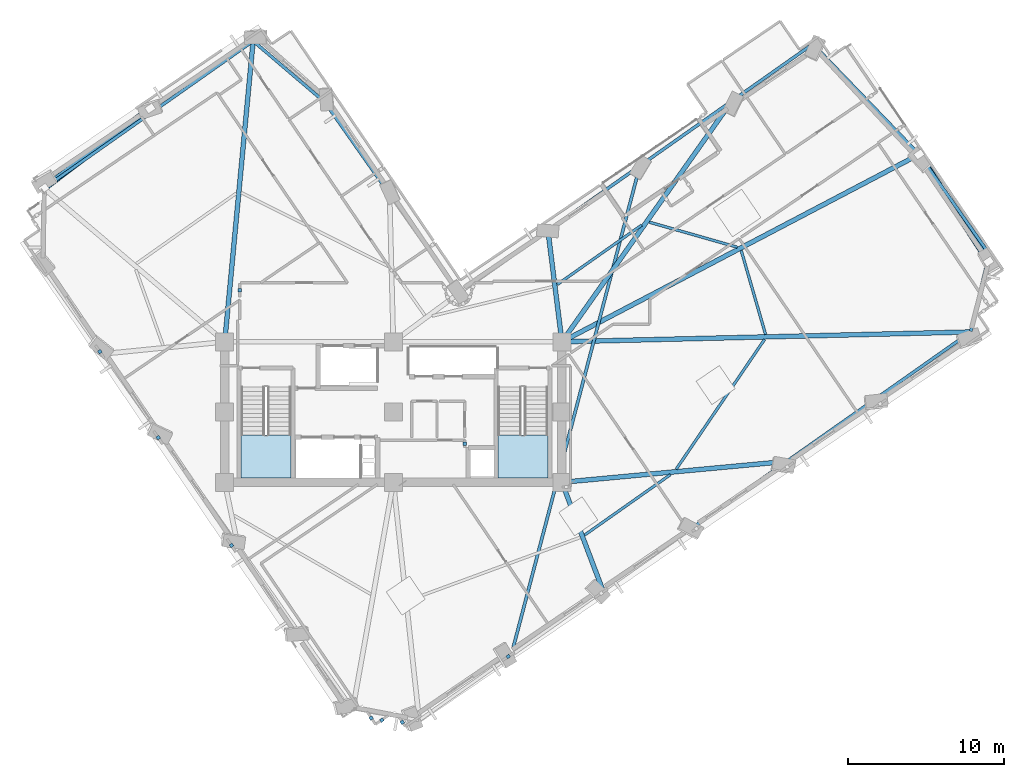
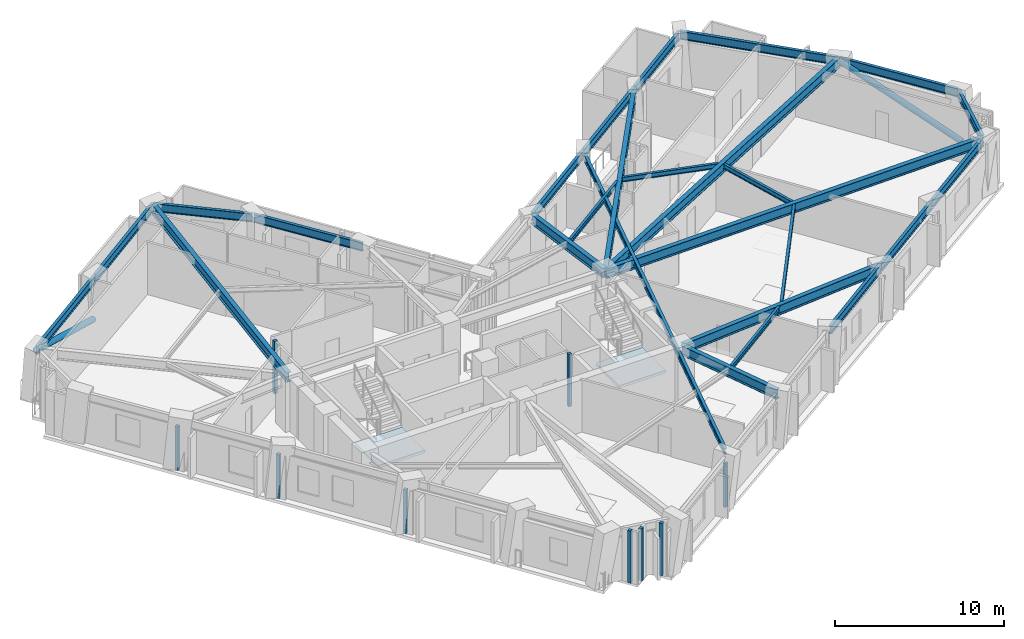
# One storey, part 2 of 16: 26 beams, 9 plates, 2 members, 2 slabs, 2 elements without a shape of their own.
"""IFC4 building model written with IfcOpenShell, lengths in metres."""

from ifc_helpers import new_model, si_unit, direction, frame, origin, origin_2d, place, context, subcontext, project, spatial, polyline, rectangle, hollow_circle, i_section, outline, extrude, material, layer, layer_set, material_profile, profile_set, type_object, element, aggregate, save


model = new_model("IFC4")

# Units and contexts
model_context = context("Model", 3, precision=1e-05, world=origin(), true_north=direction((0.0, 1.0)))
body_context = subcontext(model_context, "Body", "Model", "MODEL_VIEW")
ifc_project = project(units=[si_unit("LENGTHUNIT", "METRE"), si_unit("AREAUNIT", "SQUARE_METRE"), si_unit("VOLUMEUNIT", "CUBIC_METRE"), si_unit("PLANEANGLEUNIT", "RADIAN"), si_unit("MASSUNIT", "GRAM", prefix="KILO")], contexts=[model_context])

# Site, building, storey
site_placement = place(None, origin())
site = spatial("IfcSite", under=ifc_project, at=site_placement, CompositionType="ELEMENT")
building_placement = place(site_placement, origin())
building = spatial("IfcBuilding", under=site, at=building_placement, Name="Gaonmaruhae Medical Tower", CompositionType="ELEMENT")
storey_placement = place(building_placement, frame((0.0, 0.0, 169.800048828125)))
storey = spatial("IfcBuildingStorey", under=building, at=storey_placement, Name="L40", CompositionType="ELEMENT", Elevation=169.800048828125)

# Beams
ifc_material_1 = material(Name="Steel SM355", Category="steel")
ifc_material_profile_1 = material_profile(ifc_material_1, i_section(OverallWidth=0.175048828125, OverallDepth=0.35009765625, WebThickness=0.007080078125, FlangeThickness=0.010986328125, FilletRadius=0.012939453125, at=origin_2d()), Name="H-350x175x7x11")
ifc_profile_set_1 = profile_set([ifc_material_profile_1], Name="Steel SM355")
beam_type_1 = type_object("IfcBeamType", Name="FJ-02 Upper Zone Ward Floor Joist (H-350x175x7x11)", PredefinedType="JOIST", material=ifc_profile_set_1)
beam_1_placement = place(storey_placement, frame((37.048095703125, 4.417724609375, 3.60498046875), z_axis=(0.817652768647, 0.575711689931, 0.0), x_axis=(-0.575711689931, 0.817652768647, 0.0)))
element("IfcBeam", 1, at=beam_1_placement, inside=storey, type_object=beam_type_1, Name="L40 Secondary Floor Joist FJ02", PredefinedType="JOIST", context=body_context, shape_type="SweptSolid", body=[
    extrude(i_section(OverallWidth=0.175048828125, OverallDepth=0.35009765625, WebThickness=0.007080078125, FlangeThickness=0.010986328125, FilletRadius=0.012939453125, at=origin_2d()), origin(), (0.0, 0.0, 1.0), 6.731689453125),
])
beam_2_placement = place(storey_placement, frame((42.91650390625, 8.635986328125, 3.60498046875), z_axis=(0.562854427843, 0.826556043507, 0.0), x_axis=(-0.826556043507, 0.562854427843, 0.0)))
element("IfcBeam", 2, at=beam_2_placement, inside=storey, type_object=beam_type_1, Name="L40 Secondary Floor Joist FJ03", PredefinedType="JOIST", context=body_context, shape_type="SweptSolid", body=[
    extrude(i_section(OverallWidth=0.175048828125, OverallDepth=0.35009765625, WebThickness=0.007080078125, FlangeThickness=0.010986328125, FilletRadius=0.012939453125, at=origin_2d()), origin(), (0.0, 0.0, 1.0), 10.068359375),
])
beam_3_placement = place(storey_placement, frame((48.645751953125, 17.270263671875, 3.60498046875), z_axis=(-0.278650693287, 0.960392519302, 0.0), x_axis=(-0.960392519302, -0.278650693287, 0.0)))
element("IfcBeam", 3, at=beam_3_placement, inside=storey, type_object=beam_type_1, Name="L40 Secondary Floor Joist FJ04", PredefinedType="JOIST", context=body_context, shape_type="SweptSolid", body=[
    extrude(i_section(OverallWidth=0.175048828125, OverallDepth=0.35009765625, WebThickness=0.007080078125, FlangeThickness=0.010986328125, FilletRadius=0.012939453125, at=origin_2d()), origin(), (0.0, 0.0, 1.0), 5.601318359375),
])
beam_4_placement = place(storey_placement, frame((46.825439453125, 22.86376953125, 3.60498046875), z_axis=(-0.961894708068, 0.273420135673, 0.0), x_axis=(-0.273420135673, -0.961894708068, 0.0)))
element("IfcBeam", 4, at=beam_4_placement, inside=storey, type_object=beam_type_1, Name="L40 Secondary Floor Joist FJ05", PredefinedType="JOIST", context=body_context, shape_type="SweptSolid", body=[
    extrude(i_section(OverallWidth=0.175048828125, OverallDepth=0.35009765625, WebThickness=0.007080078125, FlangeThickness=0.010986328125, FilletRadius=0.012939453125, at=origin_2d()), origin(), (0.0, 0.0, 1.0), 5.850341796875),
])
beam_5_placement = place(storey_placement, frame((40.711669921875, 24.27783203125, 3.60498046875), z_axis=(-0.817654759636, -0.575708862226, 0.0), x_axis=(0.575708862226, -0.817654759636, 0.0)))
element("IfcBeam", 5, at=beam_5_placement, inside=storey, type_object=beam_type_1, Name="L40 Secondary Floor Joist FJ06", PredefinedType="JOIST", context=body_context, shape_type="SweptSolid", body=[
    extrude(i_section(OverallWidth=0.175048828125, OverallDepth=0.35009765625, WebThickness=0.007080078125, FlangeThickness=0.010986328125, FilletRadius=0.012939453125, at=origin_2d()), origin(), (0.0, 0.0, 1.0), 6.62353515625),
])

# Members
ifc_material_2 = material(Name="Steel SM420", Category="steel")
ifc_material_profile_2 = material_profile(ifc_material_2, hollow_circle(Radius=0.203125, WallThickness=0.0126953125, at=origin_2d()), Name="CHS-406.4x12.7")
ifc_profile_set_2 = profile_set([ifc_material_profile_2], Name="Steel SM420")
member_type = type_object("IfcMemberType", Name="PB-02 Perimeter Solid-Bay Tube Brace Mid (CHS-406.4x12.7)", PredefinedType="BRACE", material=ifc_profile_set_2)
member_1_placement = place(storey_placement, frame((62.9287109375, 21.940673828125, 0.25), z_axis=(-0.504671662422, 0.778949739825, 0.372214744435), x_axis=(-0.839252879718, -0.543741302353, 0.0)))
element("IfcMember", 6, at=member_1_placement, inside=storey, type_object=member_type, Name="L40 Perimeter Tube Solid-Bay Brace E01-E02", PredefinedType="BRACE", context=body_context, shape_type="SweptSolid", body=[
    extrude(hollow_circle(Radius=0.203125, WallThickness=0.0126953125, at=origin_2d()), origin(), (0.0, 0.0, 1.0), 8.812255859375),
])
member_2_placement = place(storey_placement, frame((9.2275390625, 31.7529296875, 0.25), z_axis=(-0.7459767831, -0.560958724185, 0.358948393), x_axis=(0.601011701784, -0.799240223161, 0.0)))
element("IfcMember", 7, at=member_2_placement, inside=storey, type_object=member_type, Name="L40 Perimeter Tube Solid-Bay Brace N02-N03", PredefinedType="BRACE", context=body_context, shape_type="SweptSolid", body=[
    extrude(hollow_circle(Radius=0.203125, WallThickness=0.0126953125, at=origin_2d()), origin(), (0.0, 0.0, 1.0), 9.137939453125),
])

# Beams
ifc_material_profile_3 = material_profile(ifc_material_2, i_section(OverallWidth=0.300048828125, OverallDepth=0.699951171875, WebThickness=0.012939453125, FlangeThickness=0.02392578125, FilletRadius=0.01806640625, at=origin_2d()), Name="H-700x300x13x24")
ifc_profile_set_3 = profile_set([ifc_material_profile_3], Name="Steel SM420")
beam_type_2 = type_object("IfcBeamType", Name="PG-03 Zone 3 Radial Floor Girder (H-700x300x13x24)", PredefinedType="BEAM", material=ifc_profile_set_3)
beam_6_placement = place(storey_placement, frame((35.61767578125, 7.753173828125, 3.429931640625), z_axis=(0.35432898149, -0.935120833303, 0.0), x_axis=(0.935120833303, 0.35432898149, 0.0)))
element("IfcBeam", 8, at=beam_6_placement, inside=storey, type_object=beam_type_2, Name="L40 Radial Primary Girder S03", PredefinedType="BEAM", context=body_context, shape_type="SweptSolid", body=[
    extrude(i_section(OverallWidth=0.300048828125, OverallDepth=0.699951171875, WebThickness=0.012939453125, FlangeThickness=0.02392578125, FilletRadius=0.01806640625, at=origin_2d()), origin(), (0.0, 0.0, 1.0), 7.331787109375),
])
beam_7_placement = place(storey_placement, frame((35.64990234375, 7.8046875, 3.429931640625), z_axis=(0.995698919947, 0.092648048094, 0.0), x_axis=(-0.092648048094, 0.995698919947, 0.0)))
element("IfcBeam", 9, at=beam_7_placement, inside=storey, type_object=beam_type_2, Name="L40 Radial Primary Girder S05", PredefinedType="BEAM", context=body_context, shape_type="SweptSolid", body=[
    extrude(i_section(OverallWidth=0.300048828125, OverallDepth=0.699951171875, WebThickness=0.012939453125, FlangeThickness=0.02392578125, FilletRadius=0.01806640625, at=origin_2d()), origin(), (0.0, 0.0, 1.0), 14.369384765625),
])
beam_8_placement = place(storey_placement, frame((35.64990234375, 16.80126953125, 3.429931640625), z_axis=(0.999709857339, 0.024087364718, 0.0), x_axis=(-0.024087364718, 0.999709857339, 0.0)))
element("IfcBeam", 10, at=beam_8_placement, inside=storey, type_object=beam_type_2, Name="L40 Radial Primary Girder S07", PredefinedType="BEAM", context=body_context, shape_type="SweptSolid", body=[
    extrude(i_section(OverallWidth=0.300048828125, OverallDepth=0.699951171875, WebThickness=0.012939453125, FlangeThickness=0.02392578125, FilletRadius=0.01806640625, at=origin_2d()), origin(), (0.0, 0.0, 1.0), 26.089111328125),
])
beam_9_placement = place(storey_placement, frame((35.644287109375, 16.8232421875, 3.429931640625), z_axis=(0.885522788906, 0.464595943082, 0.0), x_axis=(-0.464595943082, 0.885522788906, 0.0)))
element("IfcBeam", 11, at=beam_9_placement, inside=storey, type_object=beam_type_2, Name="L40 Radial Primary Girder E02", PredefinedType="BEAM", context=body_context, shape_type="SweptSolid", body=[
    extrude(i_section(OverallWidth=0.300048828125, OverallDepth=0.699951171875, WebThickness=0.012939453125, FlangeThickness=0.02392578125, FilletRadius=0.01806640625, at=origin_2d()), origin(), (0.0, 0.0, 1.0), 25.739501953125),
])
beam_10_placement = place(storey_placement, frame((35.62890625, 16.8408203125, 3.429931640625), z_axis=(0.57653048545, 0.817075638694, 0.0), x_axis=(-0.817075638694, 0.57653048545, 0.0)))
element("IfcBeam", 12, at=beam_10_placement, inside=storey, type_object=beam_type_2, Name="L40 Radial Primary Girder EN01", PredefinedType="BEAM", context=body_context, shape_type="SweptSolid", body=[
    extrude(i_section(OverallWidth=0.300048828125, OverallDepth=0.699951171875, WebThickness=0.012939453125, FlangeThickness=0.02392578125, FilletRadius=0.01806640625, at=origin_2d()), origin(), (0.0, 0.0, 1.0), 18.768310546875),
])
beam_11_placement = place(storey_placement, frame((35.59375, 16.849609375, 3.429931640625), z_axis=(-0.124713505102, 0.992192794595, 0.0), x_axis=(-0.992192794595, -0.124713505102, 0.0)))
element("IfcBeam", 13, at=beam_11_placement, inside=storey, type_object=beam_type_2, Name="L40 Radial Primary Girder EN03", PredefinedType="BEAM", context=body_context, shape_type="SweptSolid", body=[
    extrude(i_section(OverallWidth=0.300048828125, OverallDepth=0.699951171875, WebThickness=0.012939453125, FlangeThickness=0.02392578125, FilletRadius=0.01806640625, at=origin_2d()), origin(), (0.0, 0.0, 1.0), 7.08251953125),
])
beam_12_placement = place(storey_placement, frame((14.004638671875, 16.849853515625, 3.429931640625), z_axis=(0.094044952046, 0.995567951972, 0.0), x_axis=(-0.995567951972, 0.094044952046, 0.0)))
element("IfcBeam", 14, at=beam_12_placement, inside=storey, type_object=beam_type_2, Name="L40 Radial Primary Girder N01", PredefinedType="BEAM", context=body_context, shape_type="SweptSolid", body=[
    extrude(i_section(OverallWidth=0.300048828125, OverallDepth=0.699951171875, WebThickness=0.012939453125, FlangeThickness=0.02392578125, FilletRadius=0.01806640625, at=origin_2d()), origin(), (0.0, 0.0, 1.0), 19.254638671875),
])
ifc_material_profile_4 = material_profile(ifc_material_1, i_section(OverallWidth=0.199951171875, OverallDepth=0.60009765625, WebThickness=0.010986328125, FlangeThickness=0.01708984375, FilletRadius=0.012939453125, at=origin_2d()), Name="H-600x200x11x17")
ifc_profile_set_4 = profile_set([ifc_material_profile_4], Name="Steel SM355")
beam_type_3 = type_object("IfcBeamType", Name="SP-01 Lower Perimeter Spandrel Beam (H-600x200x11x17)", PredefinedType="SPANDREL", material=ifc_profile_set_4)
beam_13_placement = place(storey_placement, frame((44.153076171875, 5.018310546875, 3.47998046875), z_axis=(0.817642014765, 0.575726962797, 0.0), x_axis=(-0.575726962797, 0.817642014765, 0.0)))
element("IfcBeam", 15, at=beam_13_placement, inside=storey, type_object=beam_type_3, Name="L40 Perimeter Spandrel Beam S04-S05", PredefinedType="SPANDREL", context=body_context, shape_type="SweptSolid", body=[
    extrude(i_section(OverallWidth=0.199951171875, OverallDepth=0.60009765625, WebThickness=0.010986328125, FlangeThickness=0.01708984375, FilletRadius=0.012939453125, at=origin_2d()), origin(), (0.0, 0.0, 1.0), 7.119873046875),
])
beam_14_placement = place(storey_placement, frame((50.0400390625, 9.16357421875, 3.47998046875), z_axis=(0.817653380061, 0.575710821572, 0.0), x_axis=(-0.575710821572, 0.817653380061, 0.0)))
element("IfcBeam", 16, at=beam_14_placement, inside=storey, type_object=beam_type_3, Name="L40 Perimeter Spandrel Beam S05-S06", PredefinedType="SPANDREL", context=body_context, shape_type="SweptSolid", body=[
    extrude(i_section(OverallWidth=0.199951171875, OverallDepth=0.60009765625, WebThickness=0.010986328125, FlangeThickness=0.01708984375, FilletRadius=0.012939453125, at=origin_2d()), origin(), (0.0, 0.0, 1.0), 7.1201171875),
])
beam_15_placement = place(storey_placement, frame((55.92724609375, 13.30859375, 3.47998046875), z_axis=(0.817642014765, 0.575726962797, 0.0), x_axis=(-0.575726962797, 0.817642014765, 0.0)))
element("IfcBeam", 17, at=beam_15_placement, inside=storey, type_object=beam_type_3, Name="L40 Perimeter Spandrel Beam S06-S07", PredefinedType="SPANDREL", context=body_context, shape_type="SweptSolid", body=[
    extrude(i_section(OverallWidth=0.199951171875, OverallDepth=0.60009765625, WebThickness=0.010986328125, FlangeThickness=0.01708984375, FilletRadius=0.012939453125, at=origin_2d()), origin(), (0.0, 0.0, 1.0), 7.119873046875),
])
beam_16_placement = place(storey_placement, frame((61.790771484375, 17.4697265625, 3.47998046875), z_axis=(0.231761956846, 0.972772530121, 0.0), x_axis=(-0.972772530121, 0.231761956846, 0.0)))
element("IfcBeam", 18, at=beam_16_placement, inside=storey, type_object=beam_type_3, Name="L40 Perimeter Spandrel Beam S07-E01", PredefinedType="SPANDREL", context=body_context, shape_type="SweptSolid", body=[
    extrude(i_section(OverallWidth=0.199951171875, OverallDepth=0.60009765625, WebThickness=0.010986328125, FlangeThickness=0.01708984375, FilletRadius=0.012939453125, at=origin_2d()), origin(), (0.0, 0.0, 1.0), 5.056396484375),
])
beam_17_placement = place(storey_placement, frame((62.948974609375, 22.460205078125, 3.47998046875), z_axis=(-0.575735443752, 0.817636042997, 0.0), x_axis=(-0.817636042997, -0.575735443752, 0.0)))
element("IfcBeam", 19, at=beam_17_placement, inside=storey, type_object=beam_type_3, Name="L40 Perimeter Spandrel Beam E01-E02", PredefinedType="SPANDREL", context=body_context, shape_type="SweptSolid", body=[
    extrude(i_section(OverallWidth=0.199951171875, OverallDepth=0.60009765625, WebThickness=0.010986328125, FlangeThickness=0.01708984375, FilletRadius=0.012939453125, at=origin_2d()), origin(), (0.0, 0.0, 1.0), 7.7197265625),
])
beam_18_placement = place(storey_placement, frame((58.45361328125, 28.833740234375, 3.47998046875), z_axis=(-0.693907662674, 0.720063994158, 0.0), x_axis=(-0.720063994158, -0.693907662674, 0.0)))
element("IfcBeam", 20, at=beam_18_placement, inside=storey, type_object=beam_type_3, Name="L40 Perimeter Spandrel Beam E02-E03", PredefinedType="SPANDREL", context=body_context, shape_type="SweptSolid", body=[
    extrude(i_section(OverallWidth=0.199951171875, OverallDepth=0.60009765625, WebThickness=0.010986328125, FlangeThickness=0.01708984375, FilletRadius=0.012939453125, at=origin_2d()), origin(), (0.0, 0.0, 1.0), 9.7353515625),
])
beam_19_placement = place(storey_placement, frame((51.6376953125, 35.849609375, 3.47998046875), z_axis=(-0.817629907436, -0.575744157127, 0.0), x_axis=(0.575744157127, -0.817629907436, 0.0)))
element("IfcBeam", 21, at=beam_19_placement, inside=storey, type_object=beam_type_3, Name="L40 Perimeter Spandrel Beam E03-EN01", PredefinedType="SPANDREL", context=body_context, shape_type="SweptSolid", body=[
    extrude(i_section(OverallWidth=0.199951171875, OverallDepth=0.60009765625, WebThickness=0.010986328125, FlangeThickness=0.01708984375, FilletRadius=0.012939453125, at=origin_2d()), origin(), (0.0, 0.0, 1.0), 6.27001953125),
])
beam_20_placement = place(storey_placement, frame((46.44580078125, 32.19384765625, 3.47998046875), z_axis=(-0.817653380061, -0.575710821572, 0.0), x_axis=(0.575710821572, -0.817653380061, 0.0)))
element("IfcBeam", 22, at=beam_20_placement, inside=storey, type_object=beam_type_3, Name="L40 Perimeter Spandrel Beam EN01-EN02", PredefinedType="SPANDREL", context=body_context, shape_type="SweptSolid", body=[
    extrude(i_section(OverallWidth=0.199951171875, OverallDepth=0.60009765625, WebThickness=0.010986328125, FlangeThickness=0.01708984375, FilletRadius=0.012939453125, at=origin_2d()), origin(), (0.0, 0.0, 1.0), 7.1201171875),
])
beam_21_placement = place(storey_placement, frame((40.55859375, 28.048583984375, 3.47998046875), z_axis=(-0.817642014765, -0.575726962797, 0.0), x_axis=(0.575726962797, -0.817642014765, 0.0)))
element("IfcBeam", 23, at=beam_21_placement, inside=storey, type_object=beam_type_3, Name="L40 Perimeter Spandrel Beam EN02-EN03", PredefinedType="SPANDREL", context=body_context, shape_type="SweptSolid", body=[
    extrude(i_section(OverallWidth=0.199951171875, OverallDepth=0.60009765625, WebThickness=0.010986328125, FlangeThickness=0.01708984375, FilletRadius=0.012939453125, at=origin_2d()), origin(), (0.0, 0.0, 1.0), 7.119873046875),
])
beam_22_placement = place(storey_placement, frame((24.536865234375, 26.294677734375, 3.4599609375), z_axis=(-0.575710821572, 0.817653380061, 0.0), x_axis=(-0.817653380061, -0.575710821572, 0.0)))
element("IfcBeam", 24, at=beam_22_placement, inside=storey, type_object=beam_type_3, Name="L40 Perimeter Spandrel Beam NE01-NE02", PredefinedType="SPANDREL", context=body_context, shape_type="SweptSolid", body=[
    extrude(i_section(OverallWidth=0.199951171875, OverallDepth=0.60009765625, WebThickness=0.010986328125, FlangeThickness=0.01708984375, FilletRadius=0.012939453125, at=origin_2d()), origin(), (0.0, 0.0, 1.0), 7.1201171875),
])
beam_23_placement = place(storey_placement, frame((20.38427734375, 32.175048828125, 3.4599609375), z_axis=(-0.760775645915, 0.649014958674, 0.0), x_axis=(-0.649014958674, -0.760775645915, 0.0)))
element("IfcBeam", 25, at=beam_23_placement, inside=storey, type_object=beam_type_3, Name="L40 Perimeter Spandrel Beam NE02-N01", PredefinedType="SPANDREL", context=body_context, shape_type="SweptSolid", body=[
    extrude(i_section(OverallWidth=0.199951171875, OverallDepth=0.60009765625, WebThickness=0.010986328125, FlangeThickness=0.01708984375, FilletRadius=0.012939453125, at=origin_2d()), origin(), (0.0, 0.0, 1.0), 5.959228515625),
])
beam_24_placement = place(storey_placement, frame((15.78759765625, 36.045654296875, 3.47998046875), z_axis=(-0.817653879808, -0.575710111806, 0.0), x_axis=(0.575710111806, -0.817653879808, 0.0)))
element("IfcBeam", 26, at=beam_24_placement, inside=storey, type_object=beam_type_3, Name="L40 Perimeter Spandrel Beam N01-N02", PredefinedType="SPANDREL", context=body_context, shape_type="SweptSolid", body=[
    extrude(i_section(OverallWidth=0.199951171875, OverallDepth=0.60009765625, WebThickness=0.010986328125, FlangeThickness=0.01708984375, FilletRadius=0.012939453125, at=origin_2d()), origin(), (0.0, 0.0, 1.0), 8.1201171875),
])
beam_25_placement = place(storey_placement, frame((9.082763671875, 31.32470703125, 3.47998046875), z_axis=(-0.817643914191, -0.57572426524, 0.0), x_axis=(0.57572426524, -0.817643914191, 0.0)))
element("IfcBeam", 27, at=beam_25_placement, inside=storey, type_object=beam_type_3, Name="L40 Perimeter Spandrel Beam N02-N03", PredefinedType="SPANDREL", context=body_context, shape_type="SweptSolid", body=[
    extrude(i_section(OverallWidth=0.199951171875, OverallDepth=0.60009765625, WebThickness=0.010986328125, FlangeThickness=0.01708984375, FilletRadius=0.012939453125, at=origin_2d()), origin(), (0.0, 0.0, 1.0), 8.119873046875),
])
ifc_material_profile_5 = material_profile(ifc_material_1, i_section(OverallWidth=0.199951171875, OverallDepth=0.449951171875, WebThickness=0.009033203125, FlangeThickness=0.013916015625, FilletRadius=0.012939453125, at=origin_2d()), Name="H-450x200x9x14")
ifc_profile_set_5 = profile_set([ifc_material_profile_5], Name="Steel SM355")
beam_type_4 = type_object("IfcBeamType", Name="SP-03 Ribbon Edge Spandrel Beam (H-450x200x9x14)", PredefinedType="SPANDREL", material=ifc_profile_set_5)
beam_26_placement = place(storey_placement, frame((32.460693359375, -2.85986328125, 3.554931640625), z_axis=(0.254226512737, 0.967144704903, 0.0), x_axis=(-0.967144704903, 0.254226512737, 0.0)))
element("IfcBeam", 28, at=beam_26_placement, inside=storey, type_object=beam_type_4, Name="L40 Ribbon Transverse Spandrel 1", PredefinedType="SPANDREL", context=body_context, shape_type="SweptSolid", body=[
    extrude(i_section(OverallWidth=0.199951171875, OverallDepth=0.449951171875, WebThickness=0.009033203125, FlangeThickness=0.013916015625, FilletRadius=0.012939453125, at=origin_2d()), origin(), (0.0, 0.0, 1.0), 31.5322265625),
])

# Plates
ifc_material_3 = material(Name="Anodised aluminium 6063-T6", Category="aluminium")
ifc_layer_1 = layer(ifc_material_3, 0.011962890625)
ifc_layer_set_1 = layer_set([ifc_layer_1], Name="Anodised aluminium 6063-T6")
plate_type = type_object("IfcPlateType", Name="PP-01 Interior Partition Corner Stiffener Plate", PredefinedType="SHEET", material=ifc_layer_set_1)
for number, where, z_axis, x_axis, name in (
    (29, (29.3798828125, 10.260009765625, 0.0), (0.0, 0.0, 1.0), (0.0, -1.0, 0.0), "L40 Partition Corner Stiffener Plate PLT-L40-JGP-PW002"),
    (30, (23.37744140625, -7.303466796875, 0.0), (0.0, 0.0, 1.0), (-0.561924579423, 0.827188471293, 0.0), "L40 Partition Corner Stiffener Plate PLT-L40-JGP-PW008"),
):
    element("IfcPlate", number, at=place(storey_placement, frame(where, z_axis=z_axis, x_axis=x_axis)), inside=storey, type_object=plate_type, Name=name, PredefinedType="SHEET", context=body_context, shape_type="SweptSolid", body=[
        extrude(rectangle(XDim=0.219970703125, YDim=0.219970703125, at=origin_2d()), origin(), (0.0, 0.0, 1.0), 3.780029296875),
    ])
plate_1_placement = place(storey_placement, frame((32.16357421875, -3.3564453125, 0.0), z_axis=(0.0, 0.0, 1.0), x_axis=(-0.827002084568, -0.562198854606, 0.0)))
element("IfcPlate", 31, at=plate_1_placement, inside=storey, type_object=plate_type, Name="L40 Partition Corner Stiffener Plate PLT-L40-JGP-PW012", PredefinedType="SHEET", context=body_context, shape_type="SweptSolid", body=[
    extrude(rectangle(XDim=0.219970703125, YDim=0.219970703125, at=origin_2d()), origin(), (0.0, 0.0, 1.0), 3.1650390625),
])
for number, where, z_axis, x_axis, name in (
    (32, (25.37109375, -7.569091796875, 0.0), (0.0, 0.0, 1.0), (-0.562963611162, 0.826481683105, 0.0), "L40 Partition Corner Stiffener Plate PLT-L40-JGP-PW014"),
    (33, (24.06298828125, -7.4345703125, 0.0), (0.0, 0.0, 1.0), (-0.826874504408, -0.562386480954, 0.0), "L40 Partition Corner Stiffener Plate PLT-L40-JGP-PW015"),
):
    element("IfcPlate", number, at=place(storey_placement, frame(where, z_axis=z_axis, x_axis=x_axis)), inside=storey, type_object=plate_type, Name=name, PredefinedType="SHEET", context=body_context, shape_type="SweptSolid", body=[
        extrude(rectangle(XDim=0.219970703125, YDim=0.219970703125, at=origin_2d()), origin(), (0.0, 0.0, 1.0), 3.780029296875),
    ])
for number, where, z_axis, x_axis, name in (
    (34, (14.430908203125, 3.760009765625, 0.0), (0.0, 0.0, 1.0), (-0.561693562918, 0.827345357983, 0.0), "L40 Partition Corner Stiffener Plate PLT-L40-JGP-PW040"),
    (35, (9.738525390625, 10.666015625, 0.0), (0.0, 0.0, 1.0), (-0.561895704756, 0.827208085657, 0.0), "L40 Partition Corner Stiffener Plate PLT-L40-JGP-PW041"),
):
    element("IfcPlate", number, at=place(storey_placement, frame(where, z_axis=z_axis, x_axis=x_axis)), inside=storey, type_object=plate_type, Name=name, PredefinedType="SHEET", context=body_context, shape_type="SweptSolid", body=[
        extrude(rectangle(XDim=0.219970703125, YDim=0.219970703125, at=origin_2d()), origin(), (0.0, 0.0, 1.0), 3.1650390625),
    ])
plate_2_placement = place(storey_placement, frame((14.969970703125, 20.114013671875, 0.0), z_axis=(0.0, 0.0, 1.0), x_axis=(0.0, -1.0, 0.0)))
element("IfcPlate", 36, at=plate_2_placement, inside=storey, type_object=plate_type, Name="L40 Partition Corner Stiffener Plate PLT-L40-JGP-PW044", PredefinedType="SHEET", context=body_context, shape_type="SweptSolid", body=[
    extrude(rectangle(XDim=0.219970703125, YDim=0.219970703125, at=origin_2d()), origin(), (0.0, 0.0, 1.0), 3.780029296875),
])
plate_3_placement = place(storey_placement, frame((6.0009765625, 16.16552734375, 0.0), z_axis=(0.0, 0.0, 1.0), x_axis=(-0.561722442377, 0.827325750675, 0.0)))
element("IfcPlate", 37, at=plate_3_placement, inside=storey, type_object=plate_type, Name="L40 Partition Corner Stiffener Plate PLT-L40-JGP-PW045", PredefinedType="SHEET", context=body_context, shape_type="SweptSolid", body=[
    extrude(rectangle(XDim=0.219970703125, YDim=0.219970703125, at=origin_2d()), origin(), (0.0, 0.0, 1.0), 3.1650390625),
])

# Stair, slab
ifc_material_4 = material(Name="Concrete C40/50", Category="concrete")
stair_type = type_object("IfcStairType", Name="ST-T1 Primary Core Escape Dogleg Stair", PredefinedType="TWO_QUARTER_TURN_STAIR", material=ifc_material_4)
stair_1_placement = place(storey_placement, origin())
stair_1 = element("IfcStair", 38, at=stair_1_placement, inside=storey, type_object=stair_type, Name="L40 Protected Escape Stair ST-01", PredefinedType="TWO_QUARTER_TURN_STAIR")
ifc_layer_2 = layer(ifc_material_4, 0.199951171875)
ifc_layer_set_2 = layer_set([ifc_layer_2], Name="Concrete C40/50")
slab_type = type_object("IfcSlabType", Name="SL-200 Stair & Ramp Intermediate Concrete Landing", PredefinedType="LANDING", material=ifc_layer_set_2)
slab_1_placement = place(storey_placement, frame((0.0, 0.0, 1.800048828125)))
slab_1 = element("IfcSlab", 39, at=slab_1_placement, type_object=slab_type, Name="ST-01 landing 1", PredefinedType="LANDING", context=body_context, shape_type="SweptSolid", body=[
    extrude(outline(polyline([(15.050048828125, 10.820068359375), (15.050048828125, 8.0791015625), (18.25, 8.0791015625), (18.25, 10.820068359375), (15.050048828125, 10.820068359375)])), origin(), (0.0, 0.0, 1.0), 0.199951171875),
])
aggregate(stair_1, [slab_1])

stair_2_placement = place(storey_placement, origin())
stair_2 = element("IfcStair", 40, at=stair_2_placement, inside=storey, type_object=stair_type, Name="L40 Protected Escape Stair ST-02", PredefinedType="TWO_QUARTER_TURN_STAIR")
slab_2_placement = place(storey_placement, frame((0.0, 0.0, 1.800048828125)))
slab_2 = element("IfcSlab", 41, at=slab_2_placement, type_object=slab_type, Name="ST-02 landing 1", PredefinedType="LANDING", context=body_context, shape_type="SweptSolid", body=[
    extrude(outline(polyline([(31.5, 10.820068359375), (31.5, 8.0791015625), (34.699951171875, 8.0791015625), (34.699951171875, 10.820068359375), (31.5, 10.820068359375)])), origin(), (0.0, 0.0, 1.0), 0.199951171875),
])
aggregate(stair_2, [slab_2])

save(model, "model.ifc")
